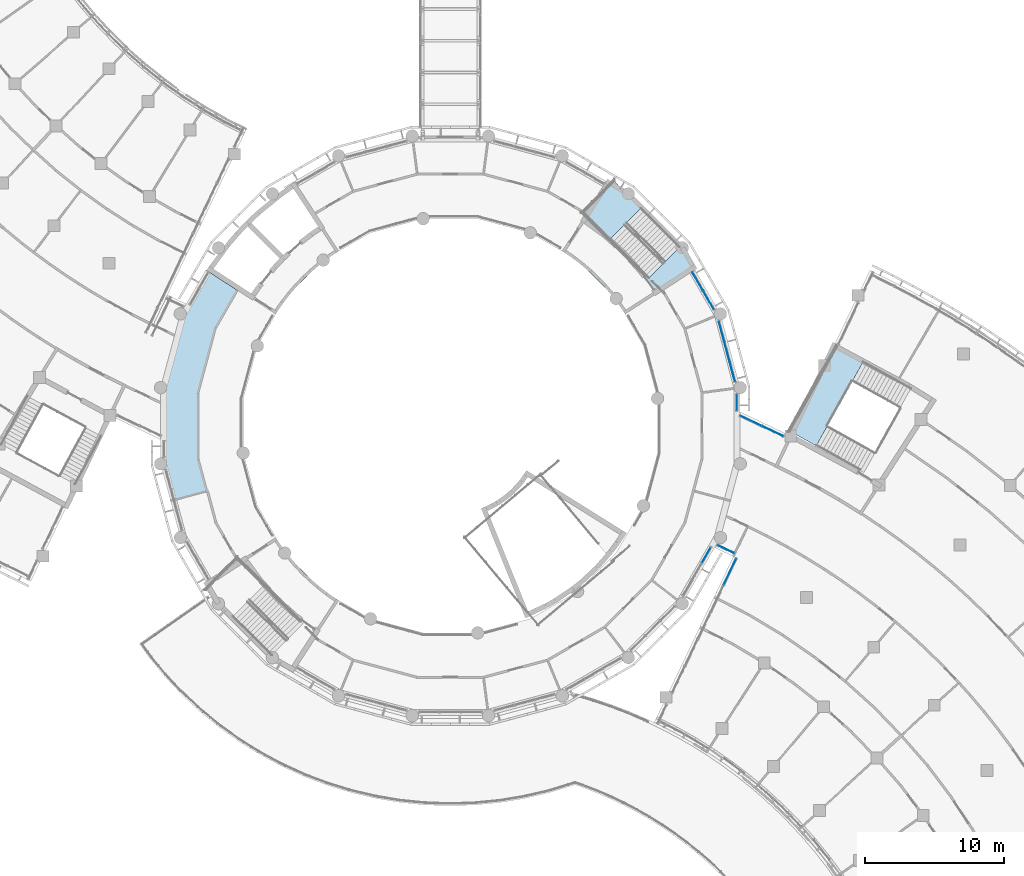
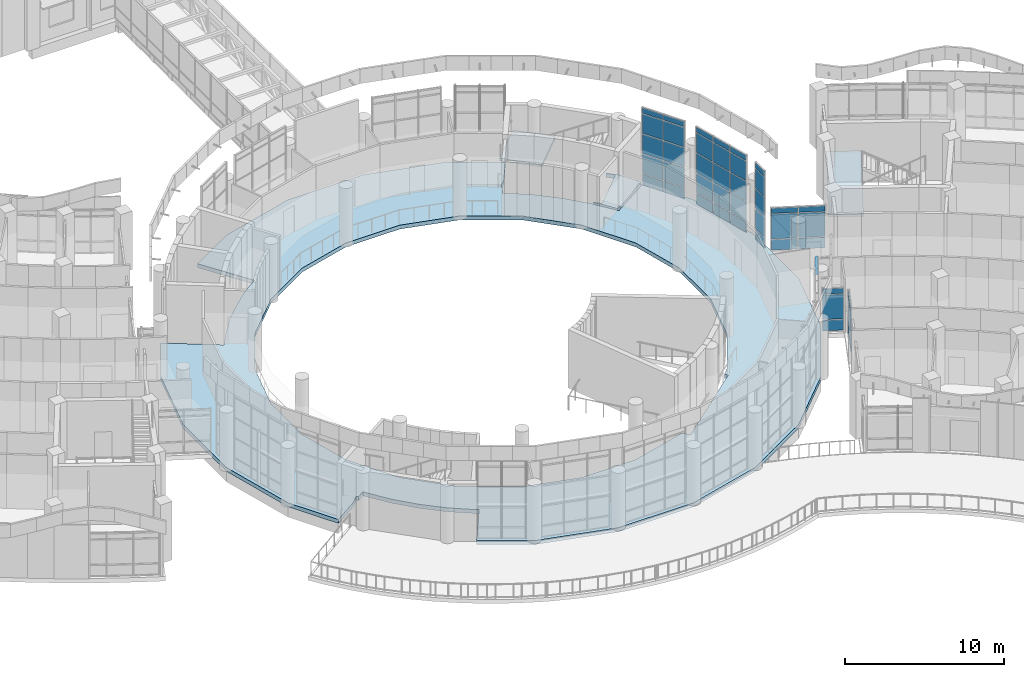
# One storey, part 45 of 136: 43 plates, 4 slabs, 9 elements without a shape of their own.
"""IFC4 building model written with IfcOpenShell, lengths in metres."""

from ifc_helpers import new_model, si_unit, direction, frame, origin, origin_2d, place, context, subcontext, project, spatial, polyline, rectangle, outline, extrude, material, layer, layer_set, type_object, element, aggregate, save


model = new_model("IFC4")

# Units and contexts
model_context = context("Model", 3, precision=1e-05, world=origin(), true_north=direction((0.0, 1.0)))
body_context = subcontext(model_context, "Body", "Model", "MODEL_VIEW")
ifc_project = project(units=[si_unit("LENGTHUNIT", "METRE"), si_unit("AREAUNIT", "SQUARE_METRE"), si_unit("VOLUMEUNIT", "CUBIC_METRE"), si_unit("PLANEANGLEUNIT", "RADIAN"), si_unit("MASSUNIT", "GRAM", prefix="KILO")], contexts=[model_context])

# Site, building, storey
site_placement = place(None, origin())
site = spatial("IfcSite", under=ifc_project, at=site_placement, CompositionType="ELEMENT")
building_placement = place(site_placement, origin())
building = spatial("IfcBuilding", under=site, at=building_placement, Name="Bougainvillea Quay General Hospital", CompositionType="ELEMENT")
storey_placement = place(building_placement, frame((0.0, 0.0, 5.39990234375)))
storey = spatial("IfcBuildingStorey", under=building, at=storey_placement, Name="L01", CompositionType="ELEMENT", Elevation=5.39990234375)

# Curtain wall, plates
ifc_material_1 = material(Name="Aluminium curtain wall system, powder-coated glazed", Category="aluminium")
curtain_wall_type_1 = type_object("IfcCurtainWallType", Name="Unitised curtain wall CW-1422", PredefinedType="NOTDEFINED", material=ifc_material_1)
curtain_wall_1_placement = place(storey_placement, origin())
curtain_wall_1 = element("IfcCurtainWall", 1, at=curtain_wall_1_placement, inside=storey, type_object=curtain_wall_type_1, Name="CW-AE 00", PredefinedType="NOTDEFINED")
ifc_material_2 = material(Name="Insulated aluminium spandrel panel, white", Category="aluminium")
ifc_layer_1 = layer(ifc_material_2, 0.028076171875)
ifc_layer_set_1 = layer_set([ifc_layer_1], Name="Insulated aluminium spandrel panel, white")
plate_type_1 = type_object("IfcPlateType", Name="Insulated spandrel panel white 28", PredefinedType="CURTAIN_PANEL", material=ifc_layer_set_1)
plate_1_placement = place(storey_placement, frame((128.986083984375, 65.133544921875, 0.06005859375), z_axis=(0.0, 0.0, 1.0), x_axis=(0.902574242771, -0.430534245195, 0.0)))
plate_1 = element("IfcPlate", 2, at=plate_1_placement, type_object=plate_type_1, Name="CW-AE spandrel panel 1.1", PredefinedType="CURTAIN_PANEL", context=body_context, shape_type="SweptSolid", body=[
    extrude(rectangle(XDim=1.301513671875, YDim=0.028076171875, at=origin_2d()), origin(), (0.0, 0.0, 1.0), 0.81005859375),
])
plate_2_placement = place(storey_placement, frame((128.986083984375, 65.133544921875, 2.88037109375), z_axis=(0.0, 0.0, 1.0), x_axis=(0.902574242771, -0.430534245195, 0.0)))
plate_2 = element("IfcPlate", 3, at=plate_2_placement, type_object=plate_type_1, Name="CW-AE spandrel panel 1.3", PredefinedType="CURTAIN_PANEL", context=body_context, shape_type="SweptSolid", body=[
    extrude(rectangle(XDim=1.301513671875, YDim=0.028076171875, at=origin_2d()), origin(), (0.0, 0.0, 1.0), 0.409912109375),
])

curtain_wall_type_2 = type_object("IfcCurtainWallType", Name="Unitised curtain wall CW-2152", PredefinedType="NOTDEFINED", material=ifc_material_1)
curtain_wall_2_placement = place(storey_placement, origin())
curtain_wall_2 = element("IfcCurtainWall", 4, at=curtain_wall_2_placement, inside=storey, type_object=curtain_wall_type_2, Name="CW-AE 00", PredefinedType="NOTDEFINED")
plate_3_placement = place(storey_placement, frame((129.276123046875, 63.510009765625, 0.06005859375), z_axis=(0.0, 0.0, 1.0), x_axis=(-0.430530445105, -0.902576055431, 0.0)))
plate_3 = element("IfcPlate", 5, at=plate_3_placement, type_object=plate_type_1, Name="CW-AE spandrel panel 1.1", PredefinedType="CURTAIN_PANEL", context=body_context, shape_type="SweptSolid", body=[
    extrude(rectangle(XDim=2.06103515625, YDim=0.028076171875, at=origin_2d()), origin(), (0.0, 0.0, 1.0), 0.81005859375),
])
plate_4_placement = place(storey_placement, frame((129.276123046875, 63.510009765625, 2.88037109375), z_axis=(0.0, 0.0, 1.0), x_axis=(-0.430530445105, -0.902576055431, 0.0)))
plate_4 = element("IfcPlate", 6, at=plate_4_placement, type_object=plate_type_1, Name="CW-AE spandrel panel 1.3", PredefinedType="CURTAIN_PANEL", context=body_context, shape_type="SweptSolid", body=[
    extrude(rectangle(XDim=2.06103515625, YDim=0.028076171875, at=origin_2d()), origin(), (0.0, 0.0, 1.0), 0.409912109375),
])

curtain_wall_type_3 = type_object("IfcCurtainWallType", Name="Unitised curtain wall CW-1757", PredefinedType="NOTDEFINED", material=ifc_material_1)
curtain_wall_3_placement = place(storey_placement, origin())
curtain_wall_3 = element("IfcCurtainWall", 7, at=curtain_wall_3_placement, inside=storey, type_object=curtain_wall_type_3, Name="CW-AE 00", PredefinedType="NOTDEFINED")
plate_5_placement = place(storey_placement, frame((132.33740234375, 73.617431640625, 0.06005859375), z_axis=(0.0, 0.0, 1.0), x_axis=(-0.902608211345, 0.430463026068, 0.0)))
plate_5 = element("IfcPlate", 8, at=plate_5_placement, type_object=plate_type_1, Name="CW-AE spandrel panel 1.1", PredefinedType="CURTAIN_PANEL", context=body_context, shape_type="SweptSolid", body=[
    extrude(rectangle(XDim=1.666748046875, YDim=0.028076171875, at=origin_2d()), origin(), (0.0, 0.0, 1.0), 0.81005859375),
])
plate_6_placement = place(storey_placement, frame((132.33740234375, 73.617431640625, 2.88037109375), z_axis=(0.0, 0.0, 1.0), x_axis=(-0.902608211345, 0.430463026068, 0.0)))
plate_6 = element("IfcPlate", 9, at=plate_6_placement, type_object=plate_type_1, Name="CW-AE spandrel panel 1.3", PredefinedType="CURTAIN_PANEL", context=body_context, shape_type="SweptSolid", body=[
    extrude(rectangle(XDim=1.666748046875, YDim=0.028076171875, at=origin_2d()), origin(), (0.0, 0.0, 1.0), 0.409912109375),
])
plate_7_placement = place(storey_placement, frame((130.77880859375, 74.36083984375, 0.06005859375), z_axis=(0.0, 0.0, 1.0), x_axis=(-0.902608211345, 0.430463026068, 0.0)))
plate_7 = element("IfcPlate", 10, at=plate_7_placement, type_object=plate_type_1, Name="CW-AE spandrel panel 2.1", PredefinedType="CURTAIN_PANEL", context=body_context, shape_type="SweptSolid", body=[
    extrude(rectangle(XDim=1.666748046875, YDim=0.028076171875, at=origin_2d()), origin(), (0.0, 0.0, 1.0), 0.81005859375),
])
plate_8_placement = place(storey_placement, frame((130.77880859375, 74.36083984375, 2.88037109375), z_axis=(0.0, 0.0, 1.0), x_axis=(-0.902608211345, 0.430463026068, 0.0)))
plate_8 = element("IfcPlate", 11, at=plate_8_placement, type_object=plate_type_1, Name="CW-AE spandrel panel 2.3", PredefinedType="CURTAIN_PANEL", context=body_context, shape_type="SweptSolid", body=[
    extrude(rectangle(XDim=1.666748046875, YDim=0.028076171875, at=origin_2d()), origin(), (0.0, 0.0, 1.0), 0.409912109375),
])

# Curtain wall, plate
curtain_wall_type_4 = type_object("IfcCurtainWallType", Name="Unitised curtain wall CW-1373", PredefinedType="NOTDEFINED", material=ifc_material_1)
curtain_wall_4_placement = place(storey_placement, origin())
curtain_wall_4 = element("IfcCurtainWall", 12, at=curtain_wall_4_placement, inside=storey, type_object=curtain_wall_type_4, Name="CW-D 00", PredefinedType="NOTDEFINED")
plate_9_placement = place(storey_placement, frame((127.5859375, 64.705810546875, 5.580078125), z_axis=(0.0, 0.0, 1.0), x_axis=(0.499961526253, 0.866047615473, 0.0)))
plate_9 = element("IfcPlate", 13, at=plate_9_placement, type_object=plate_type_1, Name="CW-D spandrel panel 3.5", PredefinedType="CURTAIN_PANEL", context=body_context, shape_type="SweptSolid", body=[
    extrude(rectangle(XDim=1.2822265625, YDim=0.028076171875, at=origin_2d()), origin(), (0.0, 0.0, 1.0), 0.409912109375),
])
aggregate(curtain_wall_4, [plate_9])

# Curtain wall, plates
curtain_wall_type_5 = type_object("IfcCurtainWallType", Name="Unitised curtain wall CW-1211", PredefinedType="NOTDEFINED", material=ifc_material_1)
curtain_wall_5_placement = place(storey_placement, origin())
curtain_wall_5 = element("IfcCurtainWall", 14, at=curtain_wall_5_placement, inside=storey, type_object=curtain_wall_type_5, Name="CW-D 00", PredefinedType="NOTDEFINED")
plate_10_placement = place(storey_placement, frame((129.77001953125, 75.66552734375, 0.06005859375), z_axis=(0.0, 0.0, 1.0), x_axis=(0.0, 1.0, 0.0)))
plate_10 = element("IfcPlate", 15, at=plate_10_placement, type_object=plate_type_1, Name="CW-D spandrel panel 1.1", PredefinedType="CURTAIN_PANEL", context=body_context, shape_type="SweptSolid", body=[
    extrude(rectangle(XDim=1.091064453125, YDim=0.028076171875, at=origin_2d()), origin(), (0.0, 0.0, 1.0), 0.81005859375),
])
plate_11_placement = place(storey_placement, frame((129.77001953125, 75.66552734375, 5.580078125), z_axis=(0.0, 0.0, 1.0), x_axis=(0.0, 1.0, 0.0)))
plate_11 = element("IfcPlate", 16, at=plate_11_placement, type_object=plate_type_1, Name="CW-D spandrel panel 1.5", PredefinedType="CURTAIN_PANEL", context=body_context, shape_type="SweptSolid", body=[
    extrude(rectangle(XDim=1.091064453125, YDim=0.028076171875, at=origin_2d()), origin(), (0.0, 0.0, 1.0), 0.409912109375),
])

curtain_wall_type_6 = type_object("IfcCurtainWallType", Name="Unitised curtain wall CW-1514", PredefinedType="NOTDEFINED", material=ifc_material_1)
curtain_wall_6_placement = place(storey_placement, origin())
curtain_wall_6 = element("IfcCurtainWall", 17, at=curtain_wall_6_placement, inside=storey, type_object=curtain_wall_type_6, Name="CW-D 00", PredefinedType="NOTDEFINED")
plate_12_placement = place(storey_placement, frame((129.45703125, 77.8759765625, 0.06005859375), z_axis=(0.0, 0.0, 1.0), x_axis=(-0.258854621298, 0.965916292974, 0.0)))
plate_12 = element("IfcPlate", 18, at=plate_12_placement, type_object=plate_type_1, Name="CW-D spandrel panel 1.1", PredefinedType="CURTAIN_PANEL", context=body_context, shape_type="SweptSolid", body=[
    extrude(rectangle(XDim=1.423828125, YDim=0.028076171875, at=origin_2d()), origin(), (0.0, 0.0, 1.0), 0.81005859375),
])
plate_13_placement = place(storey_placement, frame((129.45703125, 77.8759765625, 5.580078125), z_axis=(0.0, 0.0, 1.0), x_axis=(-0.258854621298, 0.965916292974, 0.0)))
plate_13 = element("IfcPlate", 19, at=plate_13_placement, type_object=plate_type_1, Name="CW-D spandrel panel 1.5", PredefinedType="CURTAIN_PANEL", context=body_context, shape_type="SweptSolid", body=[
    extrude(rectangle(XDim=1.423828125, YDim=0.028076171875, at=origin_2d()), origin(), (0.0, 0.0, 1.0), 0.409912109375),
])
plate_14_placement = place(storey_placement, frame((129.069091796875, 79.32373046875, 0.06005859375), z_axis=(0.0, 0.0, 1.0), x_axis=(-0.258854621298, 0.965916292974, 0.0)))
plate_14 = element("IfcPlate", 20, at=plate_14_placement, type_object=plate_type_1, Name="CW-D spandrel panel 2.1", PredefinedType="CURTAIN_PANEL", context=body_context, shape_type="SweptSolid", body=[
    extrude(rectangle(XDim=1.453857421875, YDim=0.028076171875, at=origin_2d()), origin(), (0.0, 0.0, 1.0), 0.81005859375),
])
plate_15_placement = place(storey_placement, frame((129.069091796875, 79.32373046875, 5.580078125), z_axis=(0.0, 0.0, 1.0), x_axis=(-0.258854621298, 0.965916292974, 0.0)))
plate_15 = element("IfcPlate", 21, at=plate_15_placement, type_object=plate_type_1, Name="CW-D spandrel panel 2.5", PredefinedType="CURTAIN_PANEL", context=body_context, shape_type="SweptSolid", body=[
    extrude(rectangle(XDim=1.453857421875, YDim=0.028076171875, at=origin_2d()), origin(), (0.0, 0.0, 1.0), 0.409912109375),
])
plate_16_placement = place(storey_placement, frame((128.680908203125, 80.771728515625, 0.06005859375), z_axis=(0.0, 0.0, 1.0), x_axis=(-0.258854621298, 0.965916292974, 0.0)))
plate_16 = element("IfcPlate", 22, at=plate_16_placement, type_object=plate_type_1, Name="CW-D spandrel panel 3.1", PredefinedType="CURTAIN_PANEL", context=body_context, shape_type="SweptSolid", body=[
    extrude(rectangle(XDim=1.423828125, YDim=0.028076171875, at=origin_2d()), origin(), (0.0, 0.0, 1.0), 0.81005859375),
])
plate_17_placement = place(storey_placement, frame((128.680908203125, 80.771728515625, 5.580078125), z_axis=(0.0, 0.0, 1.0), x_axis=(-0.258854621298, 0.965916292974, 0.0)))
plate_17 = element("IfcPlate", 23, at=plate_17_placement, type_object=plate_type_1, Name="CW-D spandrel panel 3.5", PredefinedType="CURTAIN_PANEL", context=body_context, shape_type="SweptSolid", body=[
    extrude(rectangle(XDim=1.423828125, YDim=0.028076171875, at=origin_2d()), origin(), (0.0, 0.0, 1.0), 0.409912109375),
])

curtain_wall_type_7 = type_object("IfcCurtainWallType", Name="Unitised curtain wall CW-1585", PredefinedType="NOTDEFINED", material=ifc_material_1)
curtain_wall_7_placement = place(storey_placement, origin())
curtain_wall_7 = element("IfcCurtainWall", 24, at=curtain_wall_7_placement, inside=storey, type_object=curtain_wall_type_7, Name="CW-D 00", PredefinedType="NOTDEFINED")
plate_18_placement = place(storey_placement, frame((127.745849609375, 83.017333984375, 0.06005859375), z_axis=(0.0, 0.0, 1.0), x_axis=(-0.499964557262, 0.866045865692, 0.0)))
plate_18 = element("IfcPlate", 25, at=plate_18_placement, type_object=plate_type_1, Name="CW-D spandrel panel 1.1", PredefinedType="CURTAIN_PANEL", context=body_context, shape_type="SweptSolid", body=[
    extrude(rectangle(XDim=1.494873046875, YDim=0.028076171875, at=origin_2d()), origin(), (0.0, 0.0, 1.0), 0.81005859375),
])
plate_19_placement = place(storey_placement, frame((127.745849609375, 83.017333984375, 5.580078125), z_axis=(0.0, 0.0, 1.0), x_axis=(-0.499964557262, 0.866045865692, 0.0)))
plate_19 = element("IfcPlate", 26, at=plate_19_placement, type_object=plate_type_1, Name="CW-D spandrel panel 1.5", PredefinedType="CURTAIN_PANEL", context=body_context, shape_type="SweptSolid", body=[
    extrude(rectangle(XDim=1.494873046875, YDim=0.028076171875, at=origin_2d()), origin(), (0.0, 0.0, 1.0), 0.409912109375),
])
plate_20_placement = place(storey_placement, frame((126.968505859375, 84.364013671875, 0.06005859375), z_axis=(0.0, 0.0, 1.0), x_axis=(-0.499964557262, 0.866045865692, 0.0)))
plate_20 = element("IfcPlate", 27, at=plate_20_placement, type_object=plate_type_1, Name="CW-D spandrel panel 2.1", PredefinedType="CURTAIN_PANEL", context=body_context, shape_type="SweptSolid", body=[
    extrude(rectangle(XDim=1.494873046875, YDim=0.028076171875, at=origin_2d()), origin(), (0.0, 0.0, 1.0), 0.81005859375),
])
plate_21_placement = place(storey_placement, frame((126.968505859375, 84.364013671875, 5.580078125), z_axis=(0.0, 0.0, 1.0), x_axis=(-0.499964557262, 0.866045865692, 0.0)))
plate_21 = element("IfcPlate", 28, at=plate_21_placement, type_object=plate_type_1, Name="CW-D spandrel panel 2.5", PredefinedType="CURTAIN_PANEL", context=body_context, shape_type="SweptSolid", body=[
    extrude(rectangle(XDim=1.494873046875, YDim=0.028076171875, at=origin_2d()), origin(), (0.0, 0.0, 1.0), 0.409912109375),
])

# Plate
ifc_material_3 = material(Name="Low-e laminated glass, solar control", Category="glass")
ifc_layer_2 = layer(ifc_material_3, 0.028076171875)
ifc_layer_set_2 = layer_set([ifc_layer_2], Name="Low-e laminated glass, solar control")
plate_type_2 = type_object("IfcPlateType", Name="Low-e laminated vision glass 28", PredefinedType="CURTAIN_PANEL", material=ifc_layer_set_2)
plate_22_placement = place(storey_placement, frame((128.986083984375, 65.133544921875, 0.93017578125), z_axis=(0.0, 0.0, 1.0), x_axis=(0.902574242771, -0.430534245195, 0.0)))
plate_22 = element("IfcPlate", 29, at=plate_22_placement, type_object=plate_type_2, Name="CW-AE vision glass panel 1.2", PredefinedType="CURTAIN_PANEL", context=body_context, shape_type="SweptSolid", body=[
    extrude(rectangle(XDim=1.301513671875, YDim=0.028076171875, at=origin_2d()), origin(), (0.0, 0.0, 1.0), 1.889892578125),
])

aggregate(curtain_wall_1, [plate_1, plate_22, plate_2])

plate_23_placement = place(storey_placement, frame((129.276123046875, 63.510009765625, 0.93017578125), z_axis=(0.0, 0.0, 1.0), x_axis=(-0.430530445105, -0.902576055431, 0.0)))
plate_23 = element("IfcPlate", 30, at=plate_23_placement, type_object=plate_type_2, Name="CW-AE vision glass panel 1.2", PredefinedType="CURTAIN_PANEL", context=body_context, shape_type="SweptSolid", body=[
    extrude(rectangle(XDim=2.06103515625, YDim=0.028076171875, at=origin_2d()), origin(), (0.0, 0.0, 1.0), 1.889892578125),
])

aggregate(curtain_wall_2, [plate_3, plate_23, plate_4])

plate_24_placement = place(storey_placement, frame((132.33740234375, 73.617431640625, 0.93017578125), z_axis=(0.0, 0.0, 1.0), x_axis=(-0.902608211345, 0.430463026068, 0.0)))
plate_24 = element("IfcPlate", 31, at=plate_24_placement, type_object=plate_type_2, Name="CW-AE vision glass panel 1.2", PredefinedType="CURTAIN_PANEL", context=body_context, shape_type="SweptSolid", body=[
    extrude(rectangle(XDim=1.666748046875, YDim=0.028076171875, at=origin_2d()), origin(), (0.0, 0.0, 1.0), 1.889892578125),
])

plate_25_placement = place(storey_placement, frame((130.77880859375, 74.36083984375, 0.93017578125), z_axis=(0.0, 0.0, 1.0), x_axis=(-0.902608211345, 0.430463026068, 0.0)))
plate_25 = element("IfcPlate", 32, at=plate_25_placement, type_object=plate_type_2, Name="CW-AE vision glass panel 2.2", PredefinedType="CURTAIN_PANEL", context=body_context, shape_type="SweptSolid", body=[
    extrude(rectangle(XDim=1.666748046875, YDim=0.028076171875, at=origin_2d()), origin(), (0.0, 0.0, 1.0), 1.889892578125),
])

aggregate(curtain_wall_3, [plate_5, plate_24, plate_6, plate_7, plate_25, plate_8])

plate_26_placement = place(storey_placement, frame((129.77001953125, 75.66552734375, 0.93017578125), z_axis=(0.0, 0.0, 1.0), x_axis=(0.0, 1.0, 0.0)))
plate_26 = element("IfcPlate", 33, at=plate_26_placement, type_object=plate_type_2, Name="CW-D vision glass panel 1.2", PredefinedType="CURTAIN_PANEL", context=body_context, shape_type="SweptSolid", body=[
    extrude(rectangle(XDim=1.091064453125, YDim=0.028076171875, at=origin_2d()), origin(), (0.0, 0.0, 1.0), 1.489990234375),
])

plate_27_placement = place(storey_placement, frame((129.77001953125, 75.66552734375, 2.47998046875), z_axis=(0.0, 0.0, 1.0), x_axis=(0.0, 1.0, 0.0)))
plate_27 = element("IfcPlate", 34, at=plate_27_placement, type_object=plate_type_2, Name="CW-D vision glass panel 1.3", PredefinedType="CURTAIN_PANEL", context=body_context, shape_type="SweptSolid", body=[
    extrude(rectangle(XDim=1.091064453125, YDim=0.028076171875, at=origin_2d()), origin(), (0.0, 0.0, 1.0), 1.489990234375),
])

plate_28_placement = place(storey_placement, frame((129.77001953125, 75.66552734375, 4.0302734375), z_axis=(0.0, 0.0, 1.0), x_axis=(0.0, 1.0, 0.0)))
plate_28 = element("IfcPlate", 35, at=plate_28_placement, type_object=plate_type_2, Name="CW-D vision glass panel 1.4", PredefinedType="CURTAIN_PANEL", context=body_context, shape_type="SweptSolid", body=[
    extrude(rectangle(XDim=1.091064453125, YDim=0.028076171875, at=origin_2d()), origin(), (0.0, 0.0, 1.0), 1.489990234375),
])

aggregate(curtain_wall_5, [plate_10, plate_26, plate_27, plate_28, plate_11])

plate_29_placement = place(storey_placement, frame((129.45703125, 77.8759765625, 0.93017578125), z_axis=(0.0, 0.0, 1.0), x_axis=(-0.258854621298, 0.965916292974, 0.0)))
plate_29 = element("IfcPlate", 36, at=plate_29_placement, type_object=plate_type_2, Name="CW-D vision glass panel 1.2", PredefinedType="CURTAIN_PANEL", context=body_context, shape_type="SweptSolid", body=[
    extrude(rectangle(XDim=1.423828125, YDim=0.028076171875, at=origin_2d()), origin(), (0.0, 0.0, 1.0), 1.489990234375),
])

plate_30_placement = place(storey_placement, frame((129.45703125, 77.8759765625, 2.47998046875), z_axis=(0.0, 0.0, 1.0), x_axis=(-0.258854621298, 0.965916292974, 0.0)))
plate_30 = element("IfcPlate", 37, at=plate_30_placement, type_object=plate_type_2, Name="CW-D vision glass panel 1.3", PredefinedType="CURTAIN_PANEL", context=body_context, shape_type="SweptSolid", body=[
    extrude(rectangle(XDim=1.423828125, YDim=0.028076171875, at=origin_2d()), origin(), (0.0, 0.0, 1.0), 1.489990234375),
])

plate_31_placement = place(storey_placement, frame((129.45703125, 77.8759765625, 4.0302734375), z_axis=(0.0, 0.0, 1.0), x_axis=(-0.258854621298, 0.965916292974, 0.0)))
plate_31 = element("IfcPlate", 38, at=plate_31_placement, type_object=plate_type_2, Name="CW-D vision glass panel 1.4", PredefinedType="CURTAIN_PANEL", context=body_context, shape_type="SweptSolid", body=[
    extrude(rectangle(XDim=1.423828125, YDim=0.028076171875, at=origin_2d()), origin(), (0.0, 0.0, 1.0), 1.489990234375),
])

plate_32_placement = place(storey_placement, frame((129.069091796875, 79.32373046875, 0.93017578125), z_axis=(0.0, 0.0, 1.0), x_axis=(-0.258854621298, 0.965916292974, 0.0)))
plate_32 = element("IfcPlate", 39, at=plate_32_placement, type_object=plate_type_2, Name="CW-D vision glass panel 2.2", PredefinedType="CURTAIN_PANEL", context=body_context, shape_type="SweptSolid", body=[
    extrude(rectangle(XDim=1.453857421875, YDim=0.028076171875, at=origin_2d()), origin(), (0.0, 0.0, 1.0), 1.489990234375),
])

plate_33_placement = place(storey_placement, frame((129.069091796875, 79.32373046875, 2.47998046875), z_axis=(0.0, 0.0, 1.0), x_axis=(-0.258854621298, 0.965916292974, 0.0)))
plate_33 = element("IfcPlate", 40, at=plate_33_placement, type_object=plate_type_2, Name="CW-D vision glass panel 2.3", PredefinedType="CURTAIN_PANEL", context=body_context, shape_type="SweptSolid", body=[
    extrude(rectangle(XDim=1.453857421875, YDim=0.028076171875, at=origin_2d()), origin(), (0.0, 0.0, 1.0), 1.489990234375),
])

plate_34_placement = place(storey_placement, frame((129.069091796875, 79.32373046875, 4.0302734375), z_axis=(0.0, 0.0, 1.0), x_axis=(-0.258854621298, 0.965916292974, 0.0)))
plate_34 = element("IfcPlate", 41, at=plate_34_placement, type_object=plate_type_2, Name="CW-D vision glass panel 2.4", PredefinedType="CURTAIN_PANEL", context=body_context, shape_type="SweptSolid", body=[
    extrude(rectangle(XDim=1.453857421875, YDim=0.028076171875, at=origin_2d()), origin(), (0.0, 0.0, 1.0), 1.489990234375),
])

plate_35_placement = place(storey_placement, frame((128.680908203125, 80.771728515625, 0.93017578125), z_axis=(0.0, 0.0, 1.0), x_axis=(-0.258854621298, 0.965916292974, 0.0)))
plate_35 = element("IfcPlate", 42, at=plate_35_placement, type_object=plate_type_2, Name="CW-D vision glass panel 3.2", PredefinedType="CURTAIN_PANEL", context=body_context, shape_type="SweptSolid", body=[
    extrude(rectangle(XDim=1.423828125, YDim=0.028076171875, at=origin_2d()), origin(), (0.0, 0.0, 1.0), 1.489990234375),
])

plate_36_placement = place(storey_placement, frame((128.680908203125, 80.771728515625, 2.47998046875), z_axis=(0.0, 0.0, 1.0), x_axis=(-0.258854621298, 0.965916292974, 0.0)))
plate_36 = element("IfcPlate", 43, at=plate_36_placement, type_object=plate_type_2, Name="CW-D vision glass panel 3.3", PredefinedType="CURTAIN_PANEL", context=body_context, shape_type="SweptSolid", body=[
    extrude(rectangle(XDim=1.423828125, YDim=0.028076171875, at=origin_2d()), origin(), (0.0, 0.0, 1.0), 1.489990234375),
])

plate_37_placement = place(storey_placement, frame((128.680908203125, 80.771728515625, 4.0302734375), z_axis=(0.0, 0.0, 1.0), x_axis=(-0.258854621298, 0.965916292974, 0.0)))
plate_37 = element("IfcPlate", 44, at=plate_37_placement, type_object=plate_type_2, Name="CW-D vision glass panel 3.4", PredefinedType="CURTAIN_PANEL", context=body_context, shape_type="SweptSolid", body=[
    extrude(rectangle(XDim=1.423828125, YDim=0.028076171875, at=origin_2d()), origin(), (0.0, 0.0, 1.0), 1.489990234375),
])

aggregate(curtain_wall_6, [plate_12, plate_29, plate_30, plate_31, plate_13, plate_14, plate_32, plate_33, plate_34, plate_15, plate_16, plate_35, plate_36, plate_37, plate_17])

plate_38_placement = place(storey_placement, frame((127.745849609375, 83.017333984375, 0.93017578125), z_axis=(0.0, 0.0, 1.0), x_axis=(-0.499964557262, 0.866045865692, 0.0)))
plate_38 = element("IfcPlate", 45, at=plate_38_placement, type_object=plate_type_2, Name="CW-D vision glass panel 1.2", PredefinedType="CURTAIN_PANEL", context=body_context, shape_type="SweptSolid", body=[
    extrude(rectangle(XDim=1.494873046875, YDim=0.028076171875, at=origin_2d()), origin(), (0.0, 0.0, 1.0), 1.489990234375),
])

plate_39_placement = place(storey_placement, frame((127.745849609375, 83.017333984375, 2.47998046875), z_axis=(0.0, 0.0, 1.0), x_axis=(-0.499964557262, 0.866045865692, 0.0)))
plate_39 = element("IfcPlate", 46, at=plate_39_placement, type_object=plate_type_2, Name="CW-D vision glass panel 1.3", PredefinedType="CURTAIN_PANEL", context=body_context, shape_type="SweptSolid", body=[
    extrude(rectangle(XDim=1.494873046875, YDim=0.028076171875, at=origin_2d()), origin(), (0.0, 0.0, 1.0), 1.489990234375),
])

plate_40_placement = place(storey_placement, frame((127.745849609375, 83.017333984375, 4.0302734375), z_axis=(0.0, 0.0, 1.0), x_axis=(-0.499964557262, 0.866045865692, 0.0)))
plate_40 = element("IfcPlate", 47, at=plate_40_placement, type_object=plate_type_2, Name="CW-D vision glass panel 1.4", PredefinedType="CURTAIN_PANEL", context=body_context, shape_type="SweptSolid", body=[
    extrude(rectangle(XDim=1.494873046875, YDim=0.028076171875, at=origin_2d()), origin(), (0.0, 0.0, 1.0), 1.489990234375),
])

plate_41_placement = place(storey_placement, frame((126.968505859375, 84.364013671875, 0.93017578125), z_axis=(0.0, 0.0, 1.0), x_axis=(-0.499964557262, 0.866045865692, 0.0)))
plate_41 = element("IfcPlate", 48, at=plate_41_placement, type_object=plate_type_2, Name="CW-D vision glass panel 2.2", PredefinedType="CURTAIN_PANEL", context=body_context, shape_type="SweptSolid", body=[
    extrude(rectangle(XDim=1.494873046875, YDim=0.028076171875, at=origin_2d()), origin(), (0.0, 0.0, 1.0), 1.489990234375),
])

plate_42_placement = place(storey_placement, frame((126.968505859375, 84.364013671875, 2.47998046875), z_axis=(0.0, 0.0, 1.0), x_axis=(-0.499964557262, 0.866045865692, 0.0)))
plate_42 = element("IfcPlate", 49, at=plate_42_placement, type_object=plate_type_2, Name="CW-D vision glass panel 2.3", PredefinedType="CURTAIN_PANEL", context=body_context, shape_type="SweptSolid", body=[
    extrude(rectangle(XDim=1.494873046875, YDim=0.028076171875, at=origin_2d()), origin(), (0.0, 0.0, 1.0), 1.489990234375),
])

plate_43_placement = place(storey_placement, frame((126.968505859375, 84.364013671875, 4.0302734375), z_axis=(0.0, 0.0, 1.0), x_axis=(-0.499964557262, 0.866045865692, 0.0)))
plate_43 = element("IfcPlate", 50, at=plate_43_placement, type_object=plate_type_2, Name="CW-D vision glass panel 2.4", PredefinedType="CURTAIN_PANEL", context=body_context, shape_type="SweptSolid", body=[
    extrude(rectangle(XDim=1.494873046875, YDim=0.028076171875, at=origin_2d()), origin(), (0.0, 0.0, 1.0), 1.489990234375),
])

aggregate(curtain_wall_7, [plate_18, plate_38, plate_39, plate_40, plate_19, plate_20, plate_41, plate_42, plate_43, plate_21])

# Slabs
ifc_material_4 = material(Name="Concrete C35", Category="concrete")
ifc_layer_3 = layer(ifc_material_4, 0.300048828125)
ifc_layer_set_3 = layer_set([ifc_layer_3], Name="Concrete C35")
slab_type_1 = type_object("IfcSlabType", Name="RC FLAT SLAB 300 C35", PredefinedType="FLOOR", material=ifc_layer_set_3)
slab_1_placement = place(storey_placement, frame((0.0, 0.0, -0.2998046875)))
element("IfcSlab", 51, at=slab_1_placement, inside=storey, type_object=slab_type_1, Name="Slab S3 L01", PredefinedType="FLOOR", context=body_context, shape_type="SweptSolid", body=[
    extrude(outline(polyline([(98.614013671875, 87.076416015625), (99.310791015625, 87.611328125), (99.894775390625, 88.015380859375), (100.18310546875, 88.20556640625), (98.0322265625, 91.518798828125), (97.99755859375, 91.572998046875), (101.1640625, 93.40087890625), (106.458984375, 94.820068359375), (111.94091796875, 94.820068359375), (117.236083984375, 93.40087890625), (120.4033203125, 91.572509765625), (120.316650390625, 91.43115234375), (119.2919921875, 89.85791015625), (118.757568359375, 89.323486328125), (118.870361328125, 89.210693359375), (118.5439453125, 88.70947265625), (118.827392578125, 88.520263671875), (120.165771484375, 87.541748046875), (121.52099609375, 86.321044921875), (122.74169921875, 84.9658203125), (123.72021484375, 83.627197265625), (123.909423828125, 83.343994140625), (126.772705078125, 85.203125), (128.60107421875, 82.035888671875), (130.02001953125, 76.740966796875), (130.02001953125, 71.259033203125), (128.60107421875, 65.964111328125), (125.860107421875, 61.216064453125), (121.98388671875, 57.340087890625), (117.236083984375, 54.59912109375), (111.94091796875, 53.179931640625), (106.458984375, 53.179931640625), (101.1640625, 54.59912109375), (97.99658203125, 56.427490234375), (98.083251953125, 56.56884765625), (99.856201171875, 59.29052734375), (99.57275390625, 59.479736328125), (98.234375, 60.458251953125), (96.87890625, 61.678955078125), (95.658203125, 63.0341796875), (94.6796875, 64.372802734375), (94.490478515625, 64.656005859375), (93.988525390625, 64.330078125), (93.87646484375, 64.4423828125), (93.3486328125, 63.91455078125), (91.62744140625, 62.796875), (89.799072265625, 65.964111328125), (88.3798828125, 71.259033203125), (88.3798828125, 76.740966796875), (89.799072265625, 82.035888671875), (91.626953125, 85.202392578125), (91.68115234375, 85.167724609375), (94.994384765625, 83.016845703125), (95.1845703125, 83.305419921875), (95.58740234375, 83.88720703125), (96.69873046875, 85.259521484375), (97.30126953125, 85.8955078125), (98.614013671875, 87.076416015625)]), holes=[polyline([(97.300048828125, 83.131103515625), (95.342041015625, 79.739990234375), (94.327880859375, 75.9580078125), (94.327880859375, 72.0419921875), (95.342041015625, 68.260009765625), (97.300048828125, 64.868896484375), (100.069091796875, 62.10009765625), (103.4599609375, 60.14208984375), (107.241943359375, 59.1279296875), (111.157958984375, 59.1279296875), (114.93994140625, 60.14208984375), (115.12158203125, 60.246826171875), (115.515380859375, 59.77783203125), (118.173583984375, 62.009033203125), (118.3310546875, 62.10009765625), (118.587890625, 62.35693359375), (120.84619140625, 64.252685546875), (120.680908203125, 64.44970703125), (121.10009765625, 64.868896484375), (123.05810546875, 68.260009765625), (124.072021484375, 72.0419921875), (124.072021484375, 75.9580078125), (123.05810546875, 79.739990234375), (121.10009765625, 83.131103515625), (118.3310546875, 85.89990234375), (114.93994140625, 87.85791015625), (111.157958984375, 88.8720703125), (107.241943359375, 88.8720703125), (103.4599609375, 87.85791015625), (100.069091796875, 85.89990234375), (97.300048828125, 83.131103515625)])]), origin(), (0.0, 0.0, 1.0), 0.2998046875),
])
slab_2_placement = place(storey_placement, frame((0.0, 0.0, -0.2998046875)))
element("IfcSlab", 52, at=slab_2_placement, inside=storey, type_object=slab_type_1, Name="Stair landing floor ST-H1 L01", PredefinedType="FLOOR", context=body_context, shape_type="SweptSolid", body=[
    extrude(outline(polyline([(125.685302734375, 84.64599609375), (124.2763671875, 83.731201171875), (124.240234375, 83.767333984375), (123.9609375, 83.5859375), (123.43896484375, 84.344970703125), (122.95703125, 84.97314453125), (122.9931640625, 85.012939453125), (123.418212890625, 84.588623046875), (125.7001953125, 86.87060546875), (125.27587890625, 87.295654296875), (125.31396484375, 87.330078125), (125.860107421875, 86.783935546875), (125.961181640625, 86.60888671875), (126.09765625, 86.47216796875), (126.614990234375, 85.575927734375), (126.57861328125, 85.539306640625), (126.68505859375, 85.35498046875), (125.855224609375, 84.816162109375), (125.685302734375, 84.64599609375)])), origin(), (0.0, 0.0, 1.0), 0.2998046875),
])

# Stair, slab
stair_type_1 = type_object("IfcStairType", Name="Stair half-turn 1650 wide", PredefinedType="HALF_TURN_STAIR", material=ifc_material_4)
stair_1_placement = place(storey_placement, origin())
stair_1 = element("IfcStair", 53, at=stair_1_placement, inside=storey, type_object=stair_type_1, Name="L01 stair ST-E1", PredefinedType="HALF_TURN_STAIR")
ifc_layer_4 = layer(ifc_material_4, 0.199951171875)
ifc_layer_set_4 = layer_set([ifc_layer_4], Name="Concrete C35")
slab_type_2 = type_object("IfcSlabType", Name="Stair landing 200", PredefinedType="LANDING", material=ifc_layer_set_4)
slab_3_placement = place(storey_placement, frame((0.0, 0.0, 2.050048828125)))
slab_3 = element("IfcSlab", 54, at=slab_3_placement, type_object=slab_type_2, Name="ST-E1 landing 1", PredefinedType="LANDING", context=body_context, shape_type="SweptSolid", body=[
    extrude(outline(polyline([(138.87060546875, 78.622802734375), (136.931884765625, 79.704345703125), (133.54248046875, 73.628662109375), (135.481201171875, 72.547119140625), (138.87060546875, 78.622802734375)])), origin(), (0.0, 0.0, 1.0), 0.199951171875),
])
aggregate(stair_1, [slab_3])

stair_type_2 = type_object("IfcStairType", Name="Stair half-turn 1563 wide", PredefinedType="HALF_TURN_STAIR", material=ifc_material_4)
stair_2_placement = place(storey_placement, origin())
stair_2 = element("IfcStair", 55, at=stair_2_placement, inside=storey, type_object=stair_type_2, Name="L01 stair ST-H1", PredefinedType="HALF_TURN_STAIR")
slab_4_placement = place(storey_placement, frame((0.0, 0.0, 2.050048828125)))
slab_4 = element("IfcSlab", 56, at=slab_4_placement, type_object=slab_type_2, Name="ST-H1 landing 1", PredefinedType="LANDING", context=body_context, shape_type="SweptSolid", body=[
    extrude(outline(polyline([(122.927490234375, 89.642578125), (120.96533203125, 91.604736328125), (118.68408203125, 89.323486328125), (120.646240234375, 87.361328125), (122.927490234375, 89.642578125)])), origin(), (0.0, 0.0, 1.0), 0.199951171875),
])
aggregate(stair_2, [slab_4])

save(model, "model.ifc")
